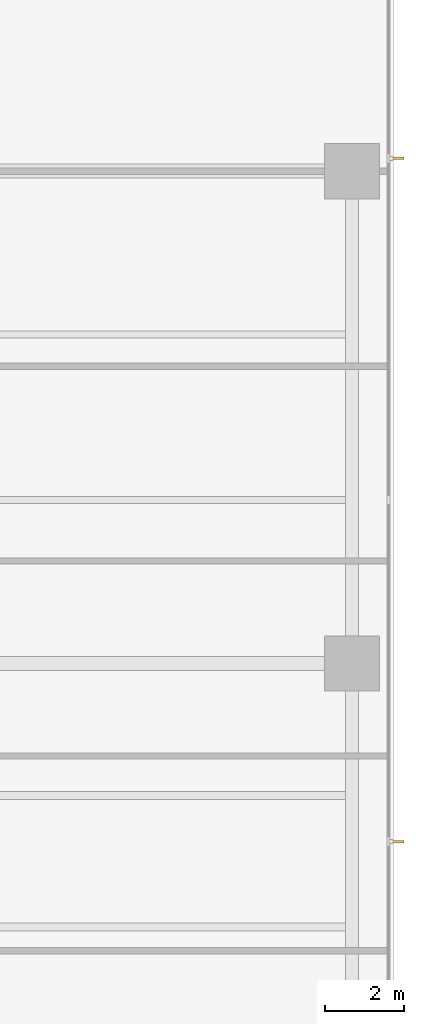
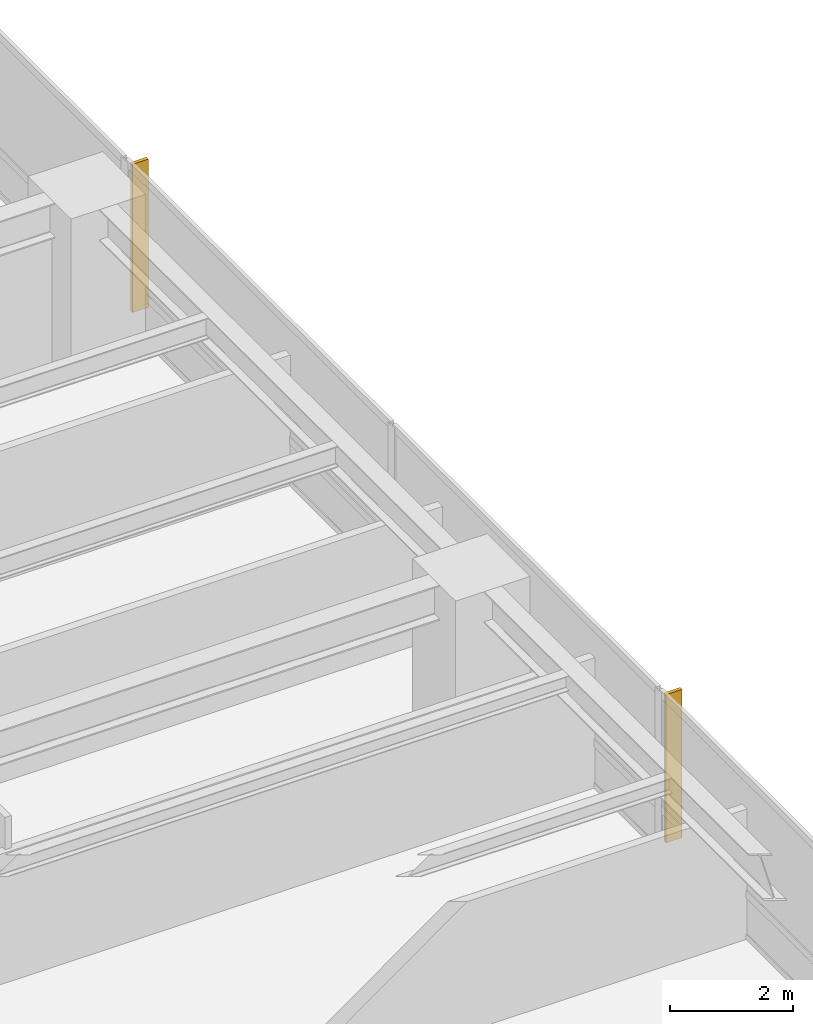
# One storey, part 16 of 17: 2 shading devices.
"""IFC4 building model written with IfcOpenShell, lengths in metres."""

from ifc_helpers import new_model, si_unit, direction, frame, origin, place, context, subcontext, project, spatial, polyline, outline, extrude, material, layer, layer_set, type_object, element, save


model = new_model("IFC4")

# Units and contexts
model_context = context("Model", 3, precision=1e-05, world=origin(), true_north=direction((0.0, 1.0)))
body_context = subcontext(model_context, "Body", "Model", "MODEL_VIEW")
ifc_project = project(units=[si_unit("LENGTHUNIT", "METRE"), si_unit("AREAUNIT", "SQUARE_METRE"), si_unit("VOLUMEUNIT", "CUBIC_METRE"), si_unit("PLANEANGLEUNIT", "RADIAN"), si_unit("MASSUNIT", "GRAM", prefix="KILO")], contexts=[model_context])

# Site, building, storey
site_placement = place(None, origin())
site = spatial("IfcSite", under=ifc_project, at=site_placement, CompositionType="ELEMENT")
building_placement = place(site_placement, origin())
building = spatial("IfcBuilding", under=site, at=building_placement, Name="Qalmaran Belvedere Hotel", CompositionType="ELEMENT")
storey_placement = place(building_placement, frame((0.0, 0.0, 33.39990234375)))
storey = spatial("IfcBuildingStorey", under=building, at=storey_placement, Name="L07", CompositionType="ELEMENT", Elevation=33.39990234375)

# Shading devices
ifc_material = material(Name="Anodised Bronze Aluminium", Category="aluminium")
ifc_layer = layer(ifc_material, 0.06494140625, Name="Anodised Bronze Aluminium")
ifc_layer_set = layer_set([ifc_layer], Name="Anodised Bronze Aluminium")
shading_device_type = type_object("IfcShadingDeviceType", Name="FIN-BRNZ-300", PredefinedType="USERDEFINED", material=ifc_layer_set)
shading_device_1_placement = place(storey_placement, frame((0.0, 0.0, 0.16015625)))
element("IfcShadingDevice", 1, at=shading_device_1_placement, inside=storey, type_object=shading_device_type, Name="L07 Bronze Fin 1", ObjectType="FIN", PredefinedType="USERDEFINED", context=body_context, shape_type="SweptSolid", body=[
    extrude(outline(polyline([(61.7724609375, 15.9423828125), (62.072509765625, 15.9423828125), (62.072509765625, 16.007568359375), (61.7724609375, 16.007568359375), (61.7724609375, 15.9423828125)])), origin(), (0.0, 0.0, 1.0), 2.93994140625),
])
shading_device_2_placement = place(storey_placement, frame((0.0, 0.0, 0.16015625)))
element("IfcShadingDevice", 2, at=shading_device_2_placement, inside=storey, type_object=shading_device_type, Name="L07 Bronze Fin 3", ObjectType="FIN", PredefinedType="USERDEFINED", context=body_context, shape_type="SweptSolid", body=[
    extrude(outline(polyline([(61.7724609375, 33.29248046875), (62.072509765625, 33.29248046875), (62.072509765625, 33.357421875), (61.7724609375, 33.357421875), (61.7724609375, 33.29248046875)])), origin(), (0.0, 0.0, 1.0), 2.93994140625),
])

save(model, "model.ifc")
